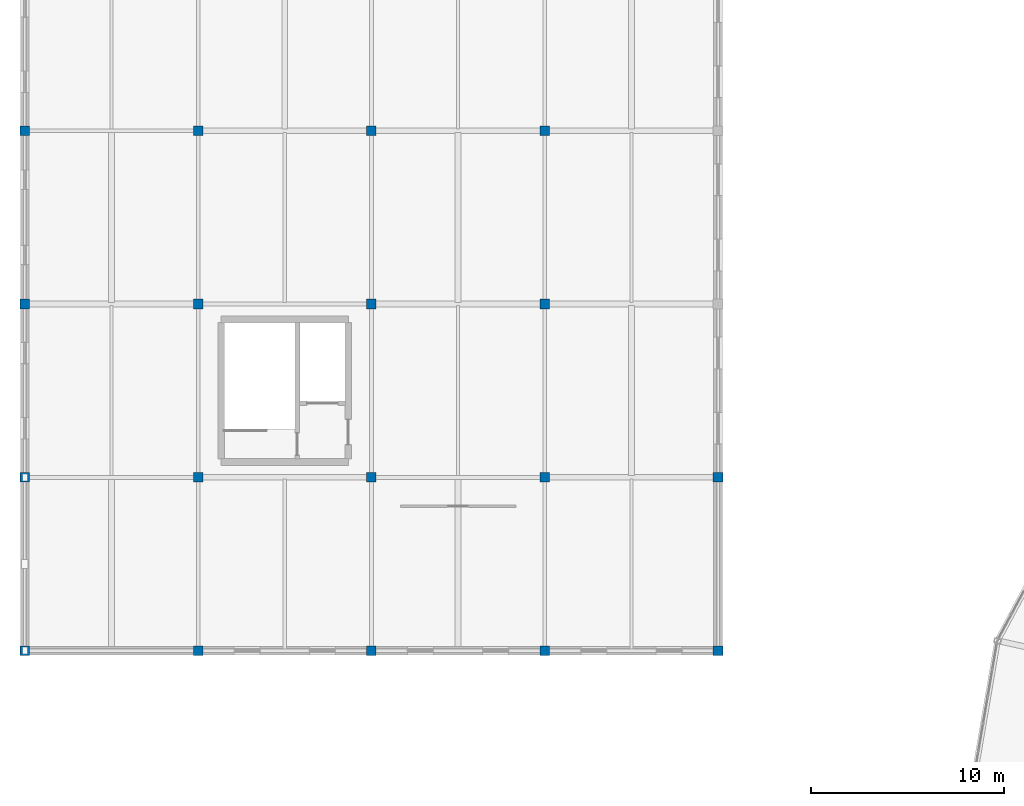
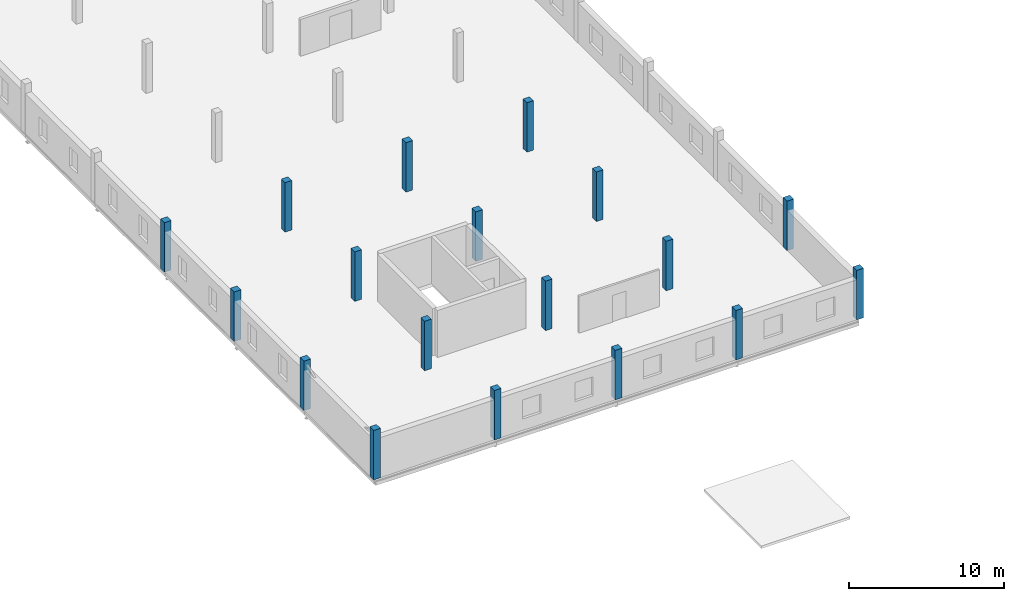
# One storey, part 9 of 123: 18 columns.
"""IFC4 building model written with IfcOpenShell, lengths in metres."""

from ifc_helpers import new_model, si_unit, direction, frame, origin, origin_2d, place, context, subcontext, project, spatial, rectangle, extrude, material, material_profile, profile_set, type_object, element, save


model = new_model("IFC4")

# Units and contexts
model_context = context("Model", 3, precision=1e-05, world=origin(), true_north=direction((0.0, 1.0)))
body_context = subcontext(model_context, "Body", "Model", "MODEL_VIEW")
ifc_project = project(units=[si_unit("LENGTHUNIT", "METRE"), si_unit("AREAUNIT", "SQUARE_METRE"), si_unit("VOLUMEUNIT", "CUBIC_METRE"), si_unit("PLANEANGLEUNIT", "RADIAN"), si_unit("MASSUNIT", "GRAM", prefix="KILO")], contexts=[model_context])

# Site, building, storey
site_placement = place(None, origin())
site = spatial("IfcSite", under=ifc_project, at=site_placement, CompositionType="ELEMENT")
building_placement = place(site_placement, origin())
building = spatial("IfcBuilding", under=site, at=building_placement, Name="Kildeholm Park Wholesale Market", CompositionType="ELEMENT")
storey_placement = place(building_placement, frame((0.0, 0.0, 9.60009765625)))
storey = spatial("IfcBuildingStorey", under=building, at=storey_placement, Name="L02", CompositionType="ELEMENT", Elevation=9.60009765625)

# Columns
ifc_material = material(Name="Concrete C40/50", Category="concrete")
ifc_material_profile = material_profile(ifc_material, rectangle(XDim=0.5, YDim=0.5, at=origin_2d()), Name="RC 500x500")
ifc_profile_set = profile_set([ifc_material_profile], Name="Concrete C40/50")
column_type = type_object("IfcColumnType", Name="Column C-R01 RC 500x500", PredefinedType="COLUMN", material=ifc_profile_set)
for number, where, z_axis, x_axis, name in (
    (1, (0.0, 99.0, 0.0), (0.0, 0.0, 1.0), (1.0, 0.0, 0.0), "Column V4-000-099 L02 COL-0331"),
    (2, (0.0, 108.0, 0.0), (0.0, 0.0, 1.0), (1.0, 0.0, 0.0), "Column V4-000-108 L02 COL-0334"),
    (3, (0.0, 117.0, 0.0), (0.0, 0.0, 1.0), (1.0, 0.0, 0.0), "Column V4-000-117 L02 COL-0337"),
    (4, (0.0, 126.0, 0.0), (0.0, 0.0, 1.0), (1.0, 0.0, 0.0), "Column V4-000-126 L02 COL-0340"),
    (5, (9.0, 99.0, 0.0), (0.0, 0.0, 1.0), (1.0, 0.0, 0.0), "Column V4-009-099 L02 COL-0358"),
    (6, (9.0, 108.0, 0.0), (0.0, 0.0, 1.0), (1.0, 0.0, 0.0), "Column V4-009-108 L02 COL-0361"),
    (7, (9.0, 117.0, 0.0), (0.0, 0.0, 1.0), (1.0, 0.0, 0.0), "Column V4-009-117 L02 COL-0364"),
    (8, (9.0, 126.0, 0.0), (0.0, 0.0, 1.0), (1.0, 0.0, 0.0), "Column V4-009-126 L02 COL-0367"),
    (9, (18.0, 99.0, 0.0), (0.0, 0.0, 1.0), (1.0, 0.0, 0.0), "Column V4-018-099 L02 COL-0385"),
    (10, (18.0, 108.0, 0.0), (0.0, 0.0, 1.0), (1.0, 0.0, 0.0), "Column V4-018-108 L02 COL-0388"),
    (11, (18.0, 117.0, 0.0), (0.0, 0.0, 1.0), (1.0, 0.0, 0.0), "Column V4-018-117 L02 COL-0391"),
    (12, (18.0, 126.0, 0.0), (0.0, 0.0, 1.0), (1.0, 0.0, 0.0), "Column V4-018-126 L02 COL-0394"),
    (13, (27.0, 99.0, 0.0), (0.0, 0.0, 1.0), (1.0, 0.0, 0.0), "Column V4-027-099 L02 COL-0412"),
    (14, (27.0, 108.0, 0.0), (0.0, 0.0, 1.0), (1.0, 0.0, 0.0), "Column V4-027-108 L02 COL-0415"),
    (15, (27.0, 117.0, 0.0), (0.0, 0.0, 1.0), (1.0, 0.0, 0.0), "Column V4-027-117 L02 COL-0418"),
    (16, (27.0, 126.0, 0.0), (0.0, 0.0, 1.0), (1.0, 0.0, 0.0), "Column V4-027-126 L02 COL-0421"),
    (17, (36.0, 99.0, 0.0), (0.0, 0.0, 1.0), (1.0, 0.0, 0.0), "Column V4-036-099 L02 COL-0439"),
    (18, (36.0, 108.0, 0.0), (0.0, 0.0, 1.0), (1.0, 0.0, 0.0), "Column V4-036-108 L02 COL-0442"),
):
    element("IfcColumn", number, at=place(storey_placement, frame(where, z_axis=z_axis, x_axis=x_axis)), inside=storey, type_object=column_type, Name=name, PredefinedType="COLUMN", context=body_context, shape_type="SweptSolid", body=[
        extrude(rectangle(XDim=0.5, YDim=0.5, at=origin_2d()), origin(), (0.0, 0.0, 1.0), 3.89990234375),
    ])

save(model, "model.ifc")
